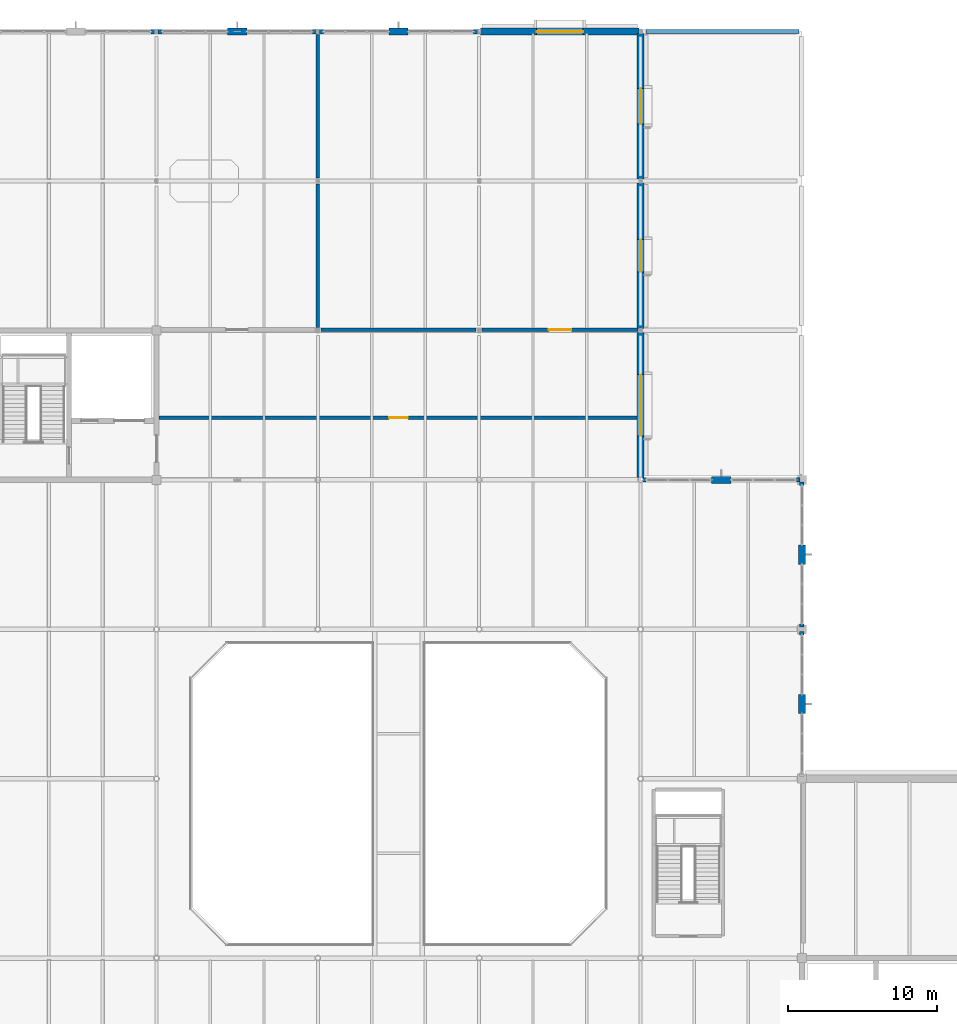
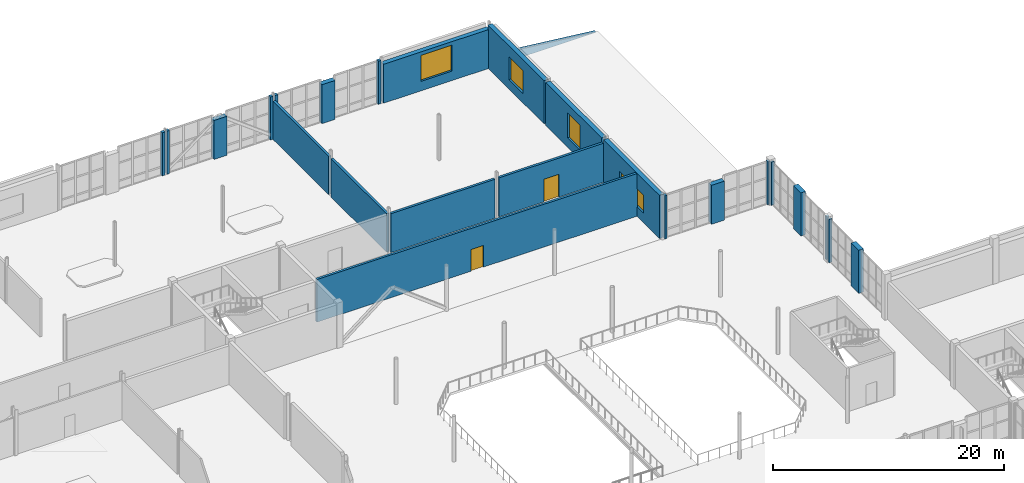
# One storey, part 88 of 100: 25 walls, 4 windows, 2 doors, 6 openings.
"""IFC4 building model written with IfcOpenShell, lengths in metres."""

import ifcopenshell
import ifcopenshell.guid

model = None  # the IFC model being written
_history = None  # IfcOwnerHistory: only IFC2X3 demands one
_inside = {}  # id of a spatial element -> (the spatial element, [elements in it])
_under = {}  # id of a project, library or spatial element -> (it, [spatial elements below it])
_declared = {}  # id of a project -> (the project, [libraries it declares])
_typed = {}  # id of a type object -> (the type object, [elements of that type])
_made_of = {}  # id of a material, layer set ... -> (it, [elements and type objects made of it])


def new_model(schema):
    """Start an empty IFC model of exactly this schema.

    Asked for "IFC4X3", IfcOpenShell would pick the latest addendum, in which some entities
    have other attributes; the version numbers below select the first issue.
    IFC2X3 requires an IfcOwnerHistory on every rooted entity: one is made here for all.
    """
    global model, _history
    if schema == "IFC4X3":
        model = ifcopenshell.file(schema_version=(4, 3, 0, 0))
    else:
        model = ifcopenshell.file(schema=schema)
    _inside.clear()
    _under.clear()
    _declared.clear()
    _typed.clear()
    _made_of.clear()
    _history = None
    if model.schema == "IFC2X3":
        org = make("IfcOrganization", Name="unknown")
        user = make(
            "IfcPersonAndOrganization",
            ThePerson=make("IfcPerson", FamilyName="unknown"),
            TheOrganization=org,
        )
        app = make(
            "IfcApplication",
            ApplicationDeveloper=org,
            Version="unknown",
            ApplicationFullName="unknown",
            ApplicationIdentifier="unknown",
        )
        _history = make(
            "IfcOwnerHistory",
            OwningUser=user,
            OwningApplication=app,
            ChangeAction="ADDED",
            CreationDate=0,
        )
    return model


def make(cls, **values):
    """One entity of the class cls with the attributes given. An attribute that is None is left unset."""
    return model.create_entity(
        cls, **{name: value for name, value in values.items() if value is not None}
    )


def rooted(cls, **values):
    """An entity with a GlobalId (a new one), such as an element, a storey or a relation."""
    return make(cls, GlobalId=ifcopenshell.guid.new(), OwnerHistory=_history, **values)


def si_unit(unit_type, name, prefix=None):
    """IfcSIUnit, for example si_unit("LENGTHUNIT", "METRE", prefix="MILLI")."""
    return make("IfcSIUnit", UnitType=unit_type, Prefix=prefix, Name=name)


def assignment(units):
    """IfcUnitAssignment: the units of a project."""
    return None if units is None else make("IfcUnitAssignment", Units=units)


def point(xyz):
    """IfcCartesianPoint."""
    return None if xyz is None else make("IfcCartesianPoint", Coordinates=xyz)


def direction(xyz):
    """IfcDirection."""
    return None if xyz is None else make("IfcDirection", DirectionRatios=xyz)


def frame(location, z_axis=None, x_axis=None):
    """IfcAxis2Placement3D, a coordinate frame: its origin and axes. An axis left out is left unset."""
    return make(
        "IfcAxis2Placement3D",
        Location=point(location),
        Axis=direction(z_axis),
        RefDirection=direction(x_axis),
    )


def frame_2d(location, x_axis=None):
    """IfcAxis2Placement2D, a coordinate frame in the plane: its origin and x axis."""
    return make(
        "IfcAxis2Placement2D", Location=point(location), RefDirection=direction(x_axis)
    )


def origin():
    """The frame at (0, 0, 0) with its axes left unset."""
    return frame((0.0, 0.0, 0.0))


def place(relative_to, where):
    """IfcLocalPlacement: puts the frame where relative to a parent placement (None: the world)."""
    return make(
        "IfcLocalPlacement", PlacementRelTo=relative_to, RelativePlacement=where
    )


def context(
    kind, dimensions, precision=None, world=None, true_north=None, identifier=None
):
    """IfcGeometricRepresentationContext, for example the 3D "Model" context."""
    return make(
        "IfcGeometricRepresentationContext",
        ContextIdentifier=identifier,
        ContextType=kind,
        CoordinateSpaceDimension=dimensions,
        Precision=precision,
        WorldCoordinateSystem=world,
        TrueNorth=true_north,
    )


def subcontext(parent, identifier, kind, view, scale=None):
    """IfcGeometricRepresentationSubContext, for example "Body" below "Model"."""
    return make(
        "IfcGeometricRepresentationSubContext",
        ContextIdentifier=identifier,
        ContextType=kind,
        ParentContext=parent,
        TargetScale=scale,
        TargetView=view,
    )


def project(units=None, contexts=None):
    """IfcProject with its units and contexts."""
    return rooted(
        "IfcProject",
        Name="project",
        RepresentationContexts=contexts,
        UnitsInContext=assignment(units),
    )


def spatial(cls, under=None, at=None, **own):
    """A site, building, storey or space (cls), placed at a placement, below another one or the project."""
    s = rooted(cls, ObjectPlacement=at, **own)
    if under is not None:
        _under.setdefault(under.id(), (under, []))[1].append(s)
    return s


def polyline(points):
    """IfcPolyline through the points."""
    return make("IfcPolyline", Points=[point(p) for p in points])


def profile(cls, at=None, kind="AREA", **sizes):
    """A parametric profile (cls). Its sizes go by their IFC names, for example OverallWidth=200.0."""
    return make(cls, ProfileType=kind, Position=at, **sizes)


def rectangle(**sizes):
    """IfcRectangleProfileDef."""
    return profile("IfcRectangleProfileDef", **sizes)


def outline(outer, holes=None, kind="AREA"):
    """IfcArbitraryClosedProfileDef: a profile drawn as a closed curve; with holes, ...WithVoids."""
    if holes is None:
        return make("IfcArbitraryClosedProfileDef", ProfileType=kind, OuterCurve=outer)
    return make(
        "IfcArbitraryProfileDefWithVoids",
        ProfileType=kind,
        OuterCurve=outer,
        InnerCurves=holes,
    )


def extrude(swept, where, along, depth):
    """IfcExtrudedAreaSolid: the profile swept, set in the frame where, extruded along a direction by depth."""
    return make(
        "IfcExtrudedAreaSolid",
        SweptArea=swept,
        Position=where,
        ExtrudedDirection=direction(along),
        Depth=depth,
    )


def shape(context_of_items, identifier, shape_type, items):
    """IfcShapeRepresentation: the items that make up one representation, for example the "Body"."""
    return make(
        "IfcShapeRepresentation",
        ContextOfItems=context_of_items,
        RepresentationIdentifier=identifier,
        RepresentationType=shape_type,
        Items=items,
    )


def material(Name=None, Category=None):
    """IfcMaterial."""
    return make("IfcMaterial", Name=Name, Category=Category)


def layer(
    of_material, thickness, ventilated=None, Name=None, Category=None, Priority=None
):
    """IfcMaterialLayer: one layer of a wall or slab, of a material (None: an air gap)."""
    return make(
        "IfcMaterialLayer",
        Material=of_material,
        LayerThickness=thickness,
        IsVentilated=ventilated,
        Name=Name,
        Category=Category,
        Priority=Priority,
    )


def layer_set(layers, Name=None):
    """IfcMaterialLayerSet."""
    return make("IfcMaterialLayerSet", MaterialLayers=layers, LayerSetName=Name)


def made_of(thing, what):
    """Note that an element or type object is made of a material, layer set ...; save() writes the relation."""
    if what is not None:
        _made_of.setdefault(what.id(), (what, []))[1].append(thing)
    return thing


def type_object(cls, material=None, **own):
    """A type object (cls), such as IfcWallType, which elements share."""
    return made_of(rooted(cls, **own), material)


def element(
    cls,
    number,
    at=None,
    inside=None,
    cuts=None,
    type_object=None,
    material=None,
    context=None,
    identifier="Body",
    shape_type=None,
    held_by="IfcProductDefinitionShape",
    body=None,
    shapes=None,
    **own,
):
    """One element of the class cls, such as IfcWall. Its Tag is "e" and its number.

    at: its placement. inside: the storey or other place that contains it. cuts: it is an
    opening in that element (IfcRelVoidsElement). A single representation is given by context,
    identifier, shape_type and body (its items); several are given by shapes. held_by: the class
    of the entity that holds the representations. save() writes the other relations.
    """
    e = rooted(cls, Tag="e%d" % number, ObjectPlacement=at, **own)
    if body is not None:
        shapes = [shape(context, identifier, shape_type, body)]
    if shapes is not None:
        e.Representation = make(held_by, Representations=shapes)
    if inside is not None:
        _inside.setdefault(inside.id(), (inside, []))[1].append(e)
    if cuts is not None:
        rooted(
            "IfcRelVoidsElement", RelatingBuildingElement=cuts, RelatedOpeningElement=e
        )
    if type_object is not None:
        _typed.setdefault(type_object.id(), (type_object, []))[1].append(e)
    return made_of(e, material)


def fill(opening, filler):
    """IfcRelFillsElement: the door or window that sits in an opening."""
    return rooted(
        "IfcRelFillsElement",
        RelatingOpeningElement=opening,
        RelatedBuildingElement=filler,
    )


def aggregate(whole, parts):
    """IfcRelAggregates: a whole, such as a stair, and the parts it consists of."""
    return rooted("IfcRelAggregates", RelatingObject=whole, RelatedObjects=parts)


def save(model, path):
    """Write the relations noted so far, then the file.

    IfcRelAggregates (storeys below a building ...), IfcRelContainedInSpatialStructure (elements
    in a storey), IfcRelDefinesByType, IfcRelAssociatesMaterial and IfcRelDeclares: one each for
    every whole, place, type object, material and project.
    """
    for whole, parts in _under.values():
        aggregate(whole, parts)
    for where, things in _inside.values():
        rooted(
            "IfcRelContainedInSpatialStructure",
            RelatedElements=things,
            RelatingStructure=where,
        )
    for kind, things in _typed.values():
        rooted("IfcRelDefinesByType", RelatedObjects=things, RelatingType=kind)
    for what, things in _made_of.values():
        rooted("IfcRelAssociatesMaterial", RelatedObjects=things, RelatingMaterial=what)
    for by, libraries in _declared.values():
        rooted("IfcRelDeclares", RelatingContext=by, RelatedDefinitions=libraries)
    model.write(path)


model = new_model("IFC4")

# Units and contexts
model_context = context("Model", 3, precision=1e-05, world=origin(), true_north=direction((0.0, 1.0)))
body_context = subcontext(model_context, "Body", "Model", "MODEL_VIEW")
ifc_project = project(units=[si_unit("LENGTHUNIT", "METRE"), si_unit("AREAUNIT", "SQUARE_METRE"), si_unit("VOLUMEUNIT", "CUBIC_METRE"), si_unit("PLANEANGLEUNIT", "RADIAN"), si_unit("MASSUNIT", "GRAM", prefix="KILO")], contexts=[model_context])

# Site, building, storey
site_placement = place(None, origin())
site = spatial("IfcSite", under=ifc_project, at=site_placement, CompositionType="ELEMENT")
building_placement = place(site_placement, origin())
building = spatial("IfcBuilding", under=site, at=building_placement, Name="Tasgan Crest Museum", CompositionType="ELEMENT")
storey_placement = place(building_placement, frame((0.0, 0.0, 9.60009765625)))
storey = spatial("IfcBuildingStorey", under=building, at=storey_placement, Name="L02", CompositionType="ELEMENT", Elevation=9.60009765625)

# Walls
ifc_material_1 = material(Name="Precast concrete C40/50", Category="concrete")
ifc_layer_1 = layer(ifc_material_1, 0.320068359375, Name="WL-EXT-CLER-320")
ifc_layer_set_1 = layer_set([ifc_layer_1], Name="Precast concrete C40/50")
wall_type_1 = type_object("IfcWallType", Name="WL-EXT-CLER-320", PredefinedType="STANDARD", material=ifc_layer_set_1)
for number, where, z_axis, x_axis, name in (
    (1, (108.0, 71.6298828125, 0.0), (0.0, 0.0, 1.0), (0.0, 1.0, 0.0), "Curtain wall jamb closure L02 JR"),
    (2, (108.0, 72.14501953125, 0.0), (0.0, 0.0, 1.0), (0.0, 1.0, 0.0), "Curtain wall jamb closure L02 JL"),
    (3, (108.0, 81.6298828125, 0.0), (0.0, 0.0, 1.0), (0.0, 1.0, 0.0), "Curtain wall jamb closure L02 JR"),
    (4, (107.85498046875, 82.0, 0.0), (0.0, 0.0, 1.0), (-1.0, 0.0, 0.0), "Curtain wall jamb closure L02 JL"),
    (5, (97.570068359375, 82.0, 0.0), (0.0, 0.0, 1.0), (-1.0, 0.0, 0.0), "Curtain wall jamb closure L02 JR"),
):
    element("IfcWall", number, at=place(storey_placement, frame(where, z_axis=z_axis, x_axis=x_axis)), inside=storey, type_object=wall_type_1, Name=name, PredefinedType="STANDARD", context=body_context, shape_type="SweptSolid", body=[
        extrude(rectangle(XDim=0.22509765625, YDim=0.300048828125, at=frame_2d((0.112548828125, 0.0))), origin(), (0.0, 0.0, 1.0), 4.559814453125),
    ])
for number, where, z_axis, x_axis, name in (
    (6, (86.303955078125, 112.0, 0.0), (0.0, 0.0, 1.0), (-1.0, 0.0, 0.0), "Curtain wall jamb closure L02 JL"),
    (7, (75.969970703125, 112.0, 0.0), (0.0, 0.0, 1.0), (-1.0, 0.0, 0.0), "Curtain wall jamb closure L02 JR"),
    (8, (75.50390625, 112.0, 0.0), (0.0, 0.0, 1.0), (-1.0, 0.0, 0.0), "Curtain wall jamb closure L02 JL"),
    (9, (65.169921875, 112.0, 0.0), (0.0, 0.0, 1.0), (-1.0, 0.0, 0.0), "Curtain wall jamb closure L02 JR"),
):
    element("IfcWall", number, at=place(storey_placement, frame(where, z_axis=z_axis, x_axis=x_axis)), inside=storey, type_object=wall_type_1, Name=name, PredefinedType="STANDARD", context=body_context, shape_type="SweptSolid", body=[
        extrude(rectangle(XDim=0.27392578125, YDim=0.300048828125, at=frame_2d((0.136962890625, 0.0))), origin(), (0.0, 0.0, 1.0), 4.559814453125),
    ])
wall_1_placement = place(storey_placement, frame((64.7041015625, 112.0, 0.0), z_axis=(0.0, 0.0, 1.0), x_axis=(-1.0, 0.0, 0.0)))
element("IfcWall", 10, at=wall_1_placement, inside=storey, type_object=wall_type_1, Name="Curtain wall jamb closure L02 JL", PredefinedType="STANDARD", context=body_context, shape_type="SweptSolid", body=[
    extrude(rectangle(XDim=0.274169921875, YDim=0.300048828125, at=frame_2d((0.13720703125, 0.0))), origin(), (0.0, 0.0, 1.0), 4.559814453125),
])
wall_2_placement = place(storey_placement, frame((97.550048828125, 112.0, -0.02001953125), z_axis=(0.0, 0.0, 1.0), x_axis=(1.0, 0.0, 0.0)))
element("IfcWall", 11, at=wall_2_placement, inside=storey, type_object=wall_type_1, Name="Sloped roof gable wall V5-L01E-N", PredefinedType="STANDARD", context=body_context, shape_type="SweptSolid", body=[
    extrude(outline(polyline([(0.0, 0.0), (10.25, 0.0), (10.25, 0.0400390625), (0.0, 1.169921875), (0.0, 0.0)])), frame((0.0, 0.14013671875, 0.0), z_axis=(0.0, -1.0, 0.0), x_axis=(1.0, 0.0, 0.0)), (0.0, 0.0, 1.0), 0.280029296875),
])
ifc_material_2 = material(Name="Precast concrete C40/50", Category="concrete")
ifc_layer_2 = layer(ifc_material_2, 0.47998046875, Name="WL-EXT-GRAN-480")
ifc_layer_set_2 = layer_set([ifc_layer_2], Name="Precast concrete C40/50")
wall_type_2 = type_object("IfcWallType", Name="WL-EXT-GRAN-480", PredefinedType="STANDARD", material=ifc_layer_set_2)
for number, where, z_axis, x_axis, name in (
    (12, (108.0, 66.35009765625, 0.0), (0.0, 0.0, 1.0), (0.0, 1.0, 0.0), "Postmodern facade stone pier L02"),
    (13, (108.0, 76.35009765625, 0.0), (0.0, 0.0, 1.0), (0.0, 1.0, 0.0), "Postmodern facade stone pier L02"),
):
    element("IfcWall", number, at=place(storey_placement, frame(where, z_axis=z_axis, x_axis=x_axis)), inside=storey, type_object=wall_type_2, Name=name, PredefinedType="STANDARD", context=body_context, shape_type="SweptSolid", body=[
        extrude(rectangle(XDim=1.2998046875, YDim=0.47998046875, at=frame_2d((0.64990234375, 0.0))), origin(), (0.0, 0.0, 1.0), 4.559814453125),
    ])
wall_3_placement = place(storey_placement, frame((103.25, 82.0, 0.0), z_axis=(0.0, 0.0, 1.0), x_axis=(-1.0, 0.0, 0.0)))
element("IfcWall", 14, at=wall_3_placement, inside=storey, type_object=wall_type_2, Name="Postmodern facade stone pier L02", PredefinedType="STANDARD", context=body_context, shape_type="SweptSolid", body=[
    extrude(rectangle(XDim=1.300048828125, YDim=0.47998046875, at=frame_2d((0.64990234375, 0.0))), origin(), (0.0, 0.0, 1.0), 4.10986328125),
])
wall_4_placement = place(storey_placement, frame((81.64990234375, 112.0, 0.0), z_axis=(0.0, 0.0, 1.0), x_axis=(-1.0, 0.0, 0.0)))
element("IfcWall", 15, at=wall_4_placement, inside=storey, type_object=wall_type_2, Name="Postmodern facade stone pier L02", PredefinedType="STANDARD", context=body_context, shape_type="SweptSolid", body=[
    extrude(rectangle(XDim=1.2998046875, YDim=0.47998046875, at=frame_2d((0.64990234375, 0.0))), origin(), (0.0, 0.0, 1.0), 4.118896484375),
])
wall_5_placement = place(storey_placement, frame((70.85009765625, 112.0, 0.0), z_axis=(0.0, 0.0, 1.0), x_axis=(-1.0, 0.0, 0.0)))
element("IfcWall", 16, at=wall_5_placement, inside=storey, type_object=wall_type_2, Name="Postmodern facade stone pier L02", PredefinedType="STANDARD", context=body_context, shape_type="SweptSolid", body=[
    extrude(rectangle(XDim=1.300048828125, YDim=0.47998046875, at=frame_2d((0.64990234375, 0.0))), origin(), (0.0, 0.0, 1.0), 4.118896484375),
])

# Wall, opening, window
ifc_material_3 = material(Name="Precast concrete C40/50", Category="concrete")
ifc_layer_3 = layer(ifc_material_3, 0.449951171875, Name="WL-EXT-LIME-450")
ifc_layer_set_3 = layer_set([ifc_layer_3], Name="Precast concrete C40/50")
wall_type_3 = type_object("IfcWallType", Name="WL-EXT-LIME-450", PredefinedType="STANDARD", material=ifc_layer_set_3)
wall_6_placement = place(storey_placement, frame((97.199951171875, 82.14501953125, 0.0), z_axis=(0.0, 0.0, 1.0), x_axis=(0.0, 1.0, 0.0)))
wall_6 = element("IfcWall", 17, at=wall_6_placement, inside=storey, type_object=wall_type_3, Name="Exterior wall L02 (97.2,87.0)", PredefinedType="STANDARD", context=body_context, shape_type="SweptSolid", body=[
    extrude(rectangle(XDim=9.7099609375, YDim=0.449951171875, at=frame_2d((4.85498046875, 0.0))), origin(), (0.0, 0.0, 1.0), 4.559814453125),
])
opening_1_placement = place(wall_6_placement, frame((2.804931640625, 0.0, 1.0)))
opening_1 = element("IfcOpeningElement", 18, at=opening_1_placement, cuts=wall_6, Name="Opening W33", PredefinedType="OPENING", context=body_context, shape_type="SweptSolid", body=[
    extrude(rectangle(XDim=4.10009765625, YDim=1.89990234375, at=frame_2d((2.050048828125, 0.949951171875))), frame((0.0, 0.23486328125, 0.0), z_axis=(0.0, -1.0, 0.0), x_axis=(1.0, 0.0, 0.0)), (0.0, 0.0, 1.0), 0.469970703125),
])
ifc_material_4 = material(Name="Thermally Broken Triple-Glazed Aluminium", Category="aluminium")
window_type_1 = type_object("IfcWindowType", Name="WN-GAL-4100X1900", PartitioningType="SINGLE_PANEL", PredefinedType="WINDOW", material=ifc_material_4)
window_1_placement = place(opening_1_placement, origin())
window_1 = element("IfcWindow", 19, at=window_1_placement, inside=storey, type_object=window_type_1, Name="Window W33 L02-039", OverallHeight=1.89990234375, OverallWidth=4.10009765625, PartitioningType="SINGLE_PANEL", PredefinedType="WINDOW", context=body_context, shape_type="SweptSolid", body=[
    extrude(rectangle(XDim=4.10009765625, YDim=1.89990234375, at=frame_2d((2.050048828125, 0.949951171875))), frame((0.0, 0.030029296875, 0.0), z_axis=(0.0, -1.0, 0.0), x_axis=(1.0, 0.0, 0.0)), (0.0, 0.0, 1.0), 0.06005859375),
])
fill(opening_1, window_1)

wall_7_placement = place(storey_placement, frame((97.199951171875, 92.14501953125, 0.0), z_axis=(0.0, 0.0, 1.0), x_axis=(0.0, 1.0, 0.0)))
wall_7 = element("IfcWall", 20, at=wall_7_placement, inside=storey, type_object=wall_type_3, Name="Exterior wall L02 (97.2,97.0)", PredefinedType="STANDARD", context=body_context, shape_type="SweptSolid", body=[
    extrude(rectangle(XDim=9.7099609375, YDim=0.449951171875, at=frame_2d((4.85498046875, 0.0))), origin(), (0.0, 0.0, 1.0), 4.559814453125),
])
opening_2_placement = place(wall_7_placement, frame((3.780029296875, 0.0, 1.0)))
opening_2 = element("IfcOpeningElement", 21, at=opening_2_placement, cuts=wall_7, Name="Opening W35", PredefinedType="OPENING", context=body_context, shape_type="SweptSolid", body=[
    extrude(rectangle(XDim=2.14990234375, YDim=2.64990234375, at=frame_2d((1.074951171875, 1.324951171875))), frame((0.0, 0.23486328125, 0.0), z_axis=(0.0, -1.0, 0.0), x_axis=(1.0, 0.0, 0.0)), (0.0, 0.0, 1.0), 0.469970703125),
])
ifc_material_5 = material(Name="Thermally Broken Triple-Glazed Aluminium", Category="aluminium")
window_type_2 = type_object("IfcWindowType", Name="WN-GAL-2150X2650", PartitioningType="SINGLE_PANEL", PredefinedType="WINDOW", material=ifc_material_5)
window_2_placement = place(opening_2_placement, origin())
window_2 = element("IfcWindow", 22, at=window_2_placement, inside=storey, type_object=window_type_2, Name="Window W35 L02-040", OverallHeight=2.64990234375, OverallWidth=2.14990234375, PartitioningType="SINGLE_PANEL", PredefinedType="WINDOW", context=body_context, shape_type="SweptSolid", body=[
    extrude(rectangle(XDim=2.14990234375, YDim=2.64990234375, at=frame_2d((1.074951171875, 1.324951171875))), frame((0.0, 0.030029296875, 0.0), z_axis=(0.0, -1.0, 0.0), x_axis=(1.0, 0.0, 0.0)), (0.0, 0.0, 1.0), 0.06005859375),
])
fill(opening_2, window_2)

wall_8_placement = place(storey_placement, frame((97.199951171875, 102.14501953125, 0.0), z_axis=(0.0, 0.0, 1.0), x_axis=(0.0, 1.0, 0.0)))
wall_8 = element("IfcWall", 23, at=wall_8_placement, inside=storey, type_object=wall_type_3, Name="Exterior wall L02 (97.2,107.0)", PredefinedType="STANDARD", context=body_context, shape_type="SweptSolid", body=[
    extrude(rectangle(XDim=9.7099609375, YDim=0.449951171875, at=frame_2d((4.85498046875, 0.0))), origin(), (0.0, 0.0, 1.0), 4.559814453125),
])
opening_3_placement = place(wall_8_placement, frame((3.655029296875, 0.0, 1.0)))
opening_3 = element("IfcOpeningElement", 24, at=opening_3_placement, cuts=wall_8, Name="Opening W05", PredefinedType="OPENING", context=body_context, shape_type="SweptSolid", body=[
    extrude(rectangle(XDim=2.39990234375, YDim=2.39990234375, at=frame_2d((1.199951171875, 1.199951171875))), frame((0.0, 0.23486328125, 0.0), z_axis=(0.0, -1.0, 0.0), x_axis=(1.0, 0.0, 0.0)), (0.0, 0.0, 1.0), 0.469970703125),
])
ifc_material_6 = material(Name="Thermally Broken Triple-Glazed Aluminium", Category="aluminium")
window_type_3 = type_object("IfcWindowType", Name="WN-GAL-2400X2400", PartitioningType="SINGLE_PANEL", PredefinedType="WINDOW", material=ifc_material_6)
window_3_placement = place(opening_3_placement, origin())
window_3 = element("IfcWindow", 25, at=window_3_placement, inside=storey, type_object=window_type_3, Name="Window W05 L02-041", OverallHeight=2.39990234375, OverallWidth=2.39990234375, PartitioningType="SINGLE_PANEL", PredefinedType="WINDOW", context=body_context, shape_type="SweptSolid", body=[
    extrude(rectangle(XDim=2.39990234375, YDim=2.39990234375, at=frame_2d((1.199951171875, 1.199951171875))), frame((0.0, 0.030029296875, 0.0), z_axis=(0.0, -1.0, 0.0), x_axis=(1.0, 0.0, 0.0)), (0.0, 0.0, 1.0), 0.06005859375),
])
fill(opening_3, window_3)

wall_9_placement = place(storey_placement, frame((97.10400390625, 112.0, 0.0), z_axis=(0.0, 0.0, 1.0), x_axis=(-1.0, 0.0, 0.0)))
wall_9 = element("IfcWall", 26, at=wall_9_placement, inside=storey, type_object=wall_type_3, Name="Exterior wall L02 (91.8,112.0)", PredefinedType="STANDARD", context=body_context, shape_type="SweptSolid", body=[
    extrude(rectangle(XDim=10.60791015625, YDim=0.449951171875, at=frame_2d((5.303955078125, 0.0))), origin(), (0.0, 0.0, 1.0), 4.118896484375),
])
opening_4_placement = place(wall_9_placement, frame((3.75390625, 0.0, 1.0)))
opening_4 = element("IfcOpeningElement", 27, at=opening_4_placement, cuts=wall_9, Name="Opening W36", PredefinedType="OPENING", context=body_context, shape_type="SweptSolid", body=[
    extrude(rectangle(XDim=3.10009765625, YDim=2.75, at=frame_2d((1.550048828125, 1.375))), frame((0.0, 0.23486328125, 0.0), z_axis=(0.0, -1.0, 0.0), x_axis=(1.0, 0.0, 0.0)), (0.0, 0.0, 1.0), 0.469970703125),
])
ifc_material_7 = material(Name="Thermally Broken Triple-Glazed Aluminium", Category="aluminium")
window_type_4 = type_object("IfcWindowType", Name="WN-GAL-3100X2750", PartitioningType="SINGLE_PANEL", PredefinedType="WINDOW", material=ifc_material_7)
window_4_placement = place(opening_4_placement, origin())
window_4 = element("IfcWindow", 28, at=window_4_placement, inside=storey, type_object=window_type_4, Name="Window W36 L02-042", OverallHeight=2.75, OverallWidth=3.10009765625, PartitioningType="SINGLE_PANEL", PredefinedType="WINDOW", context=body_context, shape_type="SweptSolid", body=[
    extrude(rectangle(XDim=3.10009765625, YDim=2.75, at=frame_2d((1.550048828125, 1.375))), frame((0.0, 0.030029296875, 0.0), z_axis=(0.0, -1.0, 0.0), x_axis=(1.0, 0.0, 0.0)), (0.0, 0.0, 1.0), 0.06005859375),
])
fill(opening_4, window_4)

# Wall
ifc_material_8 = material(Name="Concrete C40/50", Category="concrete")
ifc_layer_4 = layer(ifc_material_8, 0.239990234375, Name="WL-FIRE-240")
ifc_layer_set_4 = layer_set([ifc_layer_4], Name="Concrete C40/50")
wall_type_4 = type_object("IfcWallType", Name="WL-FIRE-240", PredefinedType="SOLIDWALL", material=ifc_layer_set_4)
wall_10_placement = place(storey_placement, frame((75.800048828125, 92.050048828125, 0.0), z_axis=(0.0, 0.0, 1.0), x_axis=(1.0, 0.0, 0.0)))
element("IfcWall", 29, at=wall_10_placement, inside=storey, type_object=wall_type_4, Name="Partition Fossil Wood Display Gallery / Cartography and Field Archive Study L02", PredefinedType="SOLIDWALL", context=body_context, shape_type="SweptSolid", body=[
    extrude(rectangle(XDim=10.39990234375, YDim=0.239990234375, at=frame_2d((5.199951171875, 0.0))), origin(), (0.0, 0.0, 1.0), 4.118896484375),
])

# Wall, opening, door
wall_11_placement = place(storey_placement, frame((86.60009765625, 92.050048828125, 0.0), z_axis=(0.0, 0.0, 1.0), x_axis=(1.0, 0.0, 0.0)))
wall_11 = element("IfcWall", 30, at=wall_11_placement, inside=storey, type_object=wall_type_4, Name="Partition Fossil Wood Display Gallery / Cartography and Field Archive Study L02", PredefinedType="SOLIDWALL", context=body_context, shape_type="SweptSolid", body=[
    extrude(rectangle(XDim=10.419921875, YDim=0.239990234375, at=frame_2d((5.2099609375, 0.0))), origin(), (0.0, 0.0, 1.0), 4.118896484375),
])
opening_5_placement = place(wall_11_placement, frame((4.4599609375, 0.0, 0.0)))
opening_5 = element("IfcOpeningElement", 31, at=opening_5_placement, cuts=wall_11, Name="Opening D066", PredefinedType="OPENING", context=body_context, shape_type="SweptSolid", body=[
    extrude(rectangle(XDim=1.5, YDim=2.39990234375, at=frame_2d((0.75, 1.199951171875))), frame((0.0, 0.1298828125, 0.0), z_axis=(0.0, -1.0, 0.0), x_axis=(1.0, 0.0, 0.0)), (0.0, 0.0, 1.0), 0.260009765625),
])
ifc_material_9 = material(Name="Insulated Archive Vault Steel Door", Category="steel")
door_type_1 = type_object("IfcDoorType", Name="DR-VAULT-1500", OperationType="NOTDEFINED", PredefinedType="DOOR", material=ifc_material_9)
door_1_placement = place(opening_5_placement, origin())
door_1 = element("IfcDoor", 32, at=door_1_placement, inside=storey, type_object=door_type_1, Name="Cartography and Field Archive Study door D066", OperationType="SINGLE_SWING_RIGHT", OverallHeight=2.39990234375, OverallWidth=1.5, PredefinedType="DOOR", context=body_context, shape_type="SweptSolid", body=[
    extrude(rectangle(XDim=1.5, YDim=2.39990234375, at=frame_2d((0.75, 1.199951171875))), frame((0.0, 0.02490234375, 0.0), z_axis=(0.0, -1.0, 0.0), x_axis=(1.0, 0.0, 0.0)), (0.0, 0.0, 1.0), 0.050048828125),
])
fill(opening_5, door_1)

# Walls
for number, where, z_axis, x_axis, name in (
    (33, (75.60009765625, 92.179931640625, 0.0), (0.0, 0.0, 1.0), (0.0, 1.0, 0.0), "Partition Paleobotany Exhibition Gallery / Cartography and Field Archive Study L02"),
    (34, (75.60009765625, 102.199951171875, 0.0), (0.0, 0.0, 1.0), (0.0, 1.0, 0.0), "Partition Paleobotany Exhibition Gallery / Cartography and Field Archive Study L02"),
):
    element("IfcWall", number, at=place(storey_placement, frame(where, z_axis=z_axis, x_axis=x_axis)), inside=storey, type_object=wall_type_4, Name=name, PredefinedType="SOLIDWALL", context=body_context, shape_type="SweptSolid", body=[
        extrude(rectangle(XDim=9.6201171875, YDim=0.239990234375, at=frame_2d((4.81005859375, 0.0))), origin(), (0.0, 0.0, 1.0), 4.058837890625),
    ])

# Wall, opening, door
ifc_material_10 = material(Name="Gypsum Acoustic Museum Partition")
ifc_layer_5 = layer(ifc_material_10, 0.22998046875, Name="WL-SCH-07")
ifc_layer_set_5 = layer_set([ifc_layer_5], Name="Gypsum Acoustic Museum Partition")
wall_type_5 = type_object("IfcWallType", Name="WL-SCH-07", PredefinedType="PARTITIONING", material=ifc_layer_set_5)
wall_12_placement = place(storey_placement, frame((64.97998046875, 86.14990234375, 0.0), z_axis=(0.0, 0.0, 1.0), x_axis=(1.0, 0.0, 0.0)))
wall_12 = element("IfcWall", 35, at=wall_12_placement, inside=storey, type_object=wall_type_5, Name="Partition Second Floor North-East Corridor / Fossil Wood Display Gallery L02", PredefinedType="PARTITIONING", context=body_context, shape_type="SweptSolid", body=[
    extrude(rectangle(XDim=32.0400390625, YDim=0.22998046875, at=frame_2d((16.02001953125, 0.0))), origin(), (0.0, 0.0, 1.0), 4.52001953125),
])
opening_6_placement = place(wall_12_placement, frame((15.39501953125, 0.0, 0.0)))
opening_6 = element("IfcOpeningElement", 36, at=opening_6_placement, cuts=wall_12, Name="Opening D063", PredefinedType="OPENING", context=body_context, shape_type="SweptSolid", body=[
    extrude(rectangle(XDim=1.25, YDim=2.300048828125, at=frame_2d((0.625, 1.14990234375))), frame((0.0, 0.125, 0.0), z_axis=(0.0, -1.0, 0.0), x_axis=(1.0, 0.0, 0.0)), (0.0, 0.0, 1.0), 0.25),
])
ifc_material_11 = material(Name="Oak and Brushed Bronze Acoustic Door")
door_type_2 = type_object("IfcDoorType", Name="DR-SCH-07", OperationType="NOTDEFINED", PredefinedType="DOOR", material=ifc_material_11)
door_2_placement = place(opening_6_placement, origin())
door_2 = element("IfcDoor", 37, at=door_2_placement, inside=storey, type_object=door_type_2, Name="Fossil Wood Display Gallery door D063", OperationType="SINGLE_SWING_LEFT", OverallHeight=2.300048828125, OverallWidth=1.25, PredefinedType="DOOR", context=body_context, shape_type="SweptSolid", body=[
    extrude(rectangle(XDim=1.25, YDim=2.300048828125, at=frame_2d((0.625, 1.14990234375))), frame((0.0, 0.02490234375, 0.0), z_axis=(0.0, -1.0, 0.0), x_axis=(1.0, 0.0, 0.0)), (0.0, 0.0, 1.0), 0.050048828125),
])
fill(opening_6, door_2)

save(model, "model.ifc")
